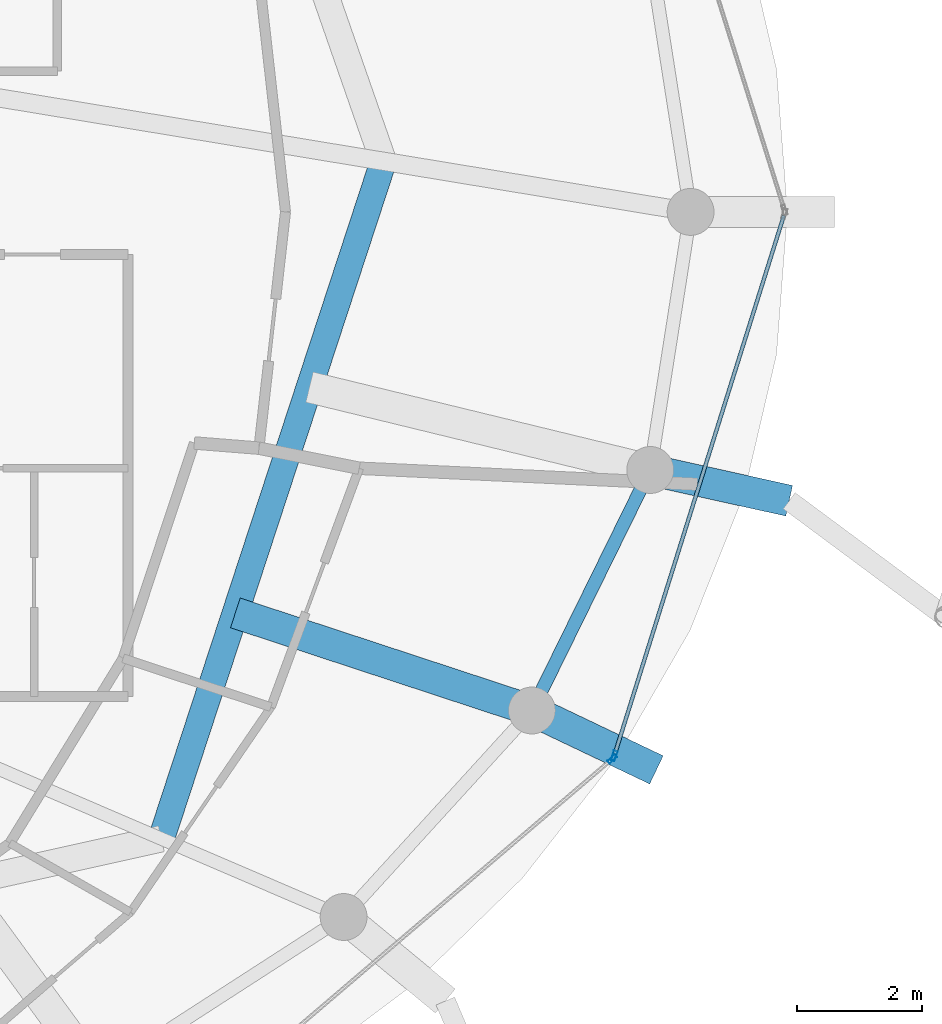
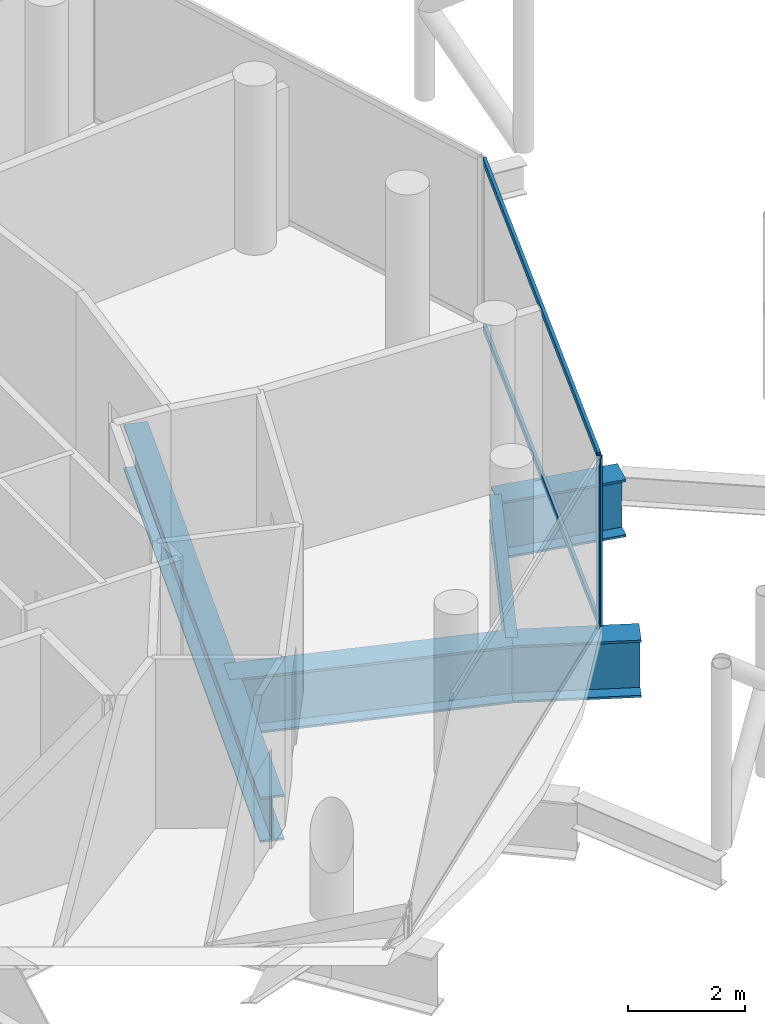
# One storey, part 11 of 25: 5 beams, 4 members, 2 elements without a shape of their own.
"""IFC4 building model written with IfcOpenShell, lengths in metres."""

from ifc_helpers import new_model, si_unit, direction, frame, origin, origin_2d, place, context, subcontext, project, spatial, hollow_rectangle, i_section, extrude, material, layer, layer_set, material_profile, profile_set, type_object, element, aggregate, save


model = new_model("IFC4")

# Units and contexts
model_context = context("Model", 3, precision=1e-05, world=origin(), true_north=direction((0.0, 1.0)))
body_context = subcontext(model_context, "Body", "Model", "MODEL_VIEW")
ifc_project = project(units=[si_unit("LENGTHUNIT", "METRE"), si_unit("AREAUNIT", "SQUARE_METRE"), si_unit("VOLUMEUNIT", "CUBIC_METRE"), si_unit("PLANEANGLEUNIT", "RADIAN"), si_unit("MASSUNIT", "GRAM", prefix="KILO")], contexts=[model_context])

# Site, building, storey
site_placement = place(None, origin())
site = spatial("IfcSite", under=ifc_project, at=site_placement, CompositionType="ELEMENT")
building_placement = place(site_placement, origin())
building = spatial("IfcBuilding", under=site, at=building_placement, Name="Nuhasar Tower", CompositionType="ELEMENT")
storey_placement = place(building_placement, frame((0.0, 0.0, 255.60009765625)))
storey = spatial("IfcBuildingStorey", under=building, at=storey_placement, Name="L63", CompositionType="ELEMENT", Elevation=255.60009765625)

# Beams
ifc_material_1 = material(Name="Steel S355", Category="steel")
ifc_material_profile_1 = material_profile(ifc_material_1, i_section(OverallWidth=0.2099609375, OverallDepth=0.537109375, WebThickness=0.010986328125, FlangeThickness=0.017333984375, at=origin_2d()), Name="W21X68")
ifc_profile_set_1 = profile_set([ifc_material_profile_1], Name="Steel S355")
beam_type_1 = type_object("IfcBeamType", Name="BM-RING-W21X68", PredefinedType="SPANDREL", material=ifc_profile_set_1)
beam_1_placement = place(storey_placement, frame((55.410888671875, 18.824951171875, -0.528076171875), z_axis=(0.441510561726, 0.897256052576, 0.0), x_axis=(-0.897256052576, 0.441510561726, 0.0)))
element("IfcBeam", 1, at=beam_1_placement, inside=storey, type_object=beam_type_1, Name="L63 Perimeter Ring Spandrel 23", PredefinedType="SPANDREL", context=body_context, shape_type="SweptSolid", body=[
    extrude(i_section(OverallWidth=0.2099609375, OverallDepth=0.537109375, WebThickness=0.010986328125, FlangeThickness=0.017333984375, at=origin_2d()), origin(), (0.0, 0.0, 1.0), 4.28759765625),
])
ifc_material_2 = material(Name="Steel S460", Category="steel")
ifc_material_profile_2 = material_profile(ifc_material_2, i_section(OverallWidth=0.423095703125, OverallDepth=0.947998046875, WebThickness=0.02392578125, FlangeThickness=0.042724609375, at=origin_2d()), Name="W36X302")
ifc_profile_set_2 = profile_set([ifc_material_profile_2], Name="Steel S460")
beam_type_2 = type_object("IfcBeamType", Name="BM-TMD-W36X302", PredefinedType="USERDEFINED", material=ifc_profile_set_2)
beam_2_placement = place(storey_placement, frame((49.48388671875, 16.77392578125, -0.734130859375), z_axis=(0.311483801376, 0.950251462235, 0.0), x_axis=(-0.950251462235, 0.311483801376, 0.0)))
element("IfcBeam", 2, at=beam_2_placement, inside=storey, type_object=beam_type_2, Name="L63 Inner Header Beam 03", ObjectType="GIRDER", PredefinedType="USERDEFINED", context=body_context, shape_type="SweptSolid", body=[
    extrude(i_section(OverallWidth=0.423095703125, OverallDepth=0.947998046875, WebThickness=0.02392578125, FlangeThickness=0.042724609375, at=origin_2d()), origin(), (0.0, 0.0, 1.0), 11.403564453125),
])
ifc_material_profile_3 = material_profile(ifc_material_2, i_section(OverallWidth=0.5, OverallDepth=1.199951171875, WebThickness=0.02587890625, FlangeThickness=0.044921875, at=origin_2d()), Name="PG1200X500")
ifc_profile_set_3 = profile_set([ifc_material_profile_3], Name="Steel S460")
beam_type_3 = type_object("IfcBeamType", Name="BM-XFER-PG1200", PredefinedType="USERDEFINED", material=ifc_profile_set_3)
beam_3_placement = place(storey_placement, frame((50.66796875, 20.385986328125, -0.860107421875), z_axis=(0.949874407661, -0.312631747701, 0.0), x_axis=(0.312631747701, 0.949874407661, 0.0)))
element("IfcBeam", 3, at=beam_3_placement, inside=storey, type_object=beam_type_3, Name="L63 Inner Column Transfer Girder 23", ObjectType="GIRDER", PredefinedType="USERDEFINED", context=body_context, shape_type="SweptSolid", body=[
    extrude(i_section(OverallWidth=0.5, OverallDepth=1.199951171875, WebThickness=0.02587890625, FlangeThickness=0.044921875, at=origin_2d()), origin(), (0.0, 0.0, 1.0), 4.9931640625),
])
beam_4_placement = place(storey_placement, frame((55.410888671875, 18.824951171875, -0.860107421875), z_axis=(0.902633434253, -0.430410133906, 0.0), x_axis=(0.430410133906, 0.902633434253, 0.0)))
element("IfcBeam", 4, at=beam_4_placement, inside=storey, type_object=beam_type_3, Name="L63 Outer Column Step Transfer Girder 23", ObjectType="GIRDER", PredefinedType="USERDEFINED", context=body_context, shape_type="SweptSolid", body=[
    extrude(i_section(OverallWidth=0.5, OverallDepth=1.199951171875, WebThickness=0.02587890625, FlangeThickness=0.044921875, at=origin_2d()), origin(), (0.0, 0.0, 1.0), 2.20703125),
])
beam_5_placement = place(storey_placement, frame((57.303955078125, 22.672119140625, -0.860107421875), z_axis=(0.976333240217, -0.216271597877, 0.0), x_axis=(0.216271597877, 0.976333240217, 0.0)))
element("IfcBeam", 5, at=beam_5_placement, inside=storey, type_object=beam_type_3, Name="L63 Outer Column Step Transfer Girder 24", ObjectType="GIRDER", PredefinedType="USERDEFINED", context=body_context, shape_type="SweptSolid", body=[
    extrude(i_section(OverallWidth=0.5, OverallDepth=1.199951171875, WebThickness=0.02587890625, FlangeThickness=0.044921875, at=origin_2d()), origin(), (0.0, 0.0, 1.0), 2.27587890625),
])

# Curtain wall, member
ifc_material_3 = material(Name="Aluminium 6063-T6", Category="aluminium")
ifc_layer = layer(ifc_material_3, 0.18994140625)
ifc_layer_set = layer_set([ifc_layer], Name="Aluminium 6063-T6")
curtain_wall_type = type_object("IfcCurtainWallType", Name="CW-Z4-PEN", PredefinedType="NOTDEFINED", material=ifc_layer_set)
curtain_wall_1_placement = place(storey_placement, origin())
curtain_wall_1 = element("IfcCurtainWall", 6, at=curtain_wall_1_placement, inside=storey, type_object=curtain_wall_type, Name="L63 Unitised Curtain Wall 11", PredefinedType="NOTDEFINED")
ifc_material_profile_4 = material_profile(ifc_material_3, hollow_rectangle(XDim=0.06005859375, YDim=0.1650390625, WallThickness=0.0048828125, at=origin_2d()), Name="CWM-5")
ifc_profile_set_4 = profile_set([ifc_material_profile_4], Name="Aluminium 6063-T6")
member_type_1 = type_object("IfcMemberType", Name="CW-MUL-S5", PredefinedType="MULLION", material=ifc_profile_set_4)
member_1_placement = place(storey_placement, frame((56.6962890625, 18.050537109375, 0.0), z_axis=(0.0, 0.0, 1.0), x_axis=(-0.649141996205, 0.760667252327, 0.0)))
member_1 = element("IfcMember", 7, at=member_1_placement, type_object=member_type_1, Name="CW-Z4 mullion 2", PredefinedType="MULLION", context=body_context, shape_type="SweptSolid", body=[
    extrude(hollow_rectangle(XDim=0.06005859375, YDim=0.1650390625, WallThickness=0.0048828125, at=origin_2d()), origin(), (0.0, 0.0, 1.0), 3.539794921875),
])
aggregate(curtain_wall_1, [member_1])

# Curtain wall, members
curtain_wall_2_placement = place(storey_placement, origin())
curtain_wall_2 = element("IfcCurtainWall", 8, at=curtain_wall_2_placement, inside=storey, type_object=curtain_wall_type, Name="L63 Unitised Curtain Wall 12", PredefinedType="NOTDEFINED")
member_2_placement = place(storey_placement, frame((56.72802734375, 18.0986328125, 0.0), z_axis=(0.0, 0.0, 1.0), x_axis=(-0.954078526601, 0.299556614146, 0.0)))
member_2 = element("IfcMember", 9, at=member_2_placement, type_object=member_type_1, Name="CW-Z4 mullion 1", PredefinedType="MULLION", context=body_context, shape_type="SweptSolid", body=[
    extrude(hollow_rectangle(XDim=0.06005859375, YDim=0.1650390625, WallThickness=0.0048828125, at=origin_2d()), origin(), (0.0, 0.0, 1.0), 3.539794921875),
])
ifc_material_profile_5 = material_profile(ifc_material_3, hollow_rectangle(XDim=0.06005859375, YDim=0.135009765625, WallThickness=0.00439453125, at=origin_2d()), Name="CWT-5")
ifc_profile_set_5 = profile_set([ifc_material_profile_5], Name="Aluminium 6063-T6")
member_type_2 = type_object("IfcMemberType", Name="CW-TRN-S5", PredefinedType="USERDEFINED", material=ifc_profile_set_5)
member_3_placement = place(storey_placement, frame((56.737060546875, 18.127197265625, 0.02978515625), z_axis=(0.29956014073, 0.954077419335, 0.0), x_axis=(-0.954077419335, 0.29956014073, 0.0)))
member_3 = element("IfcMember", 10, at=member_3_placement, type_object=member_type_2, Name="CW-Z4 transom 1.1", ObjectType="TRANSOM", PredefinedType="USERDEFINED", context=body_context, shape_type="SweptSolid", body=[
    extrude(hollow_rectangle(XDim=0.06005859375, YDim=0.135009765625, WallThickness=0.00439453125, at=origin_2d()), origin(), (0.0, 0.0, 1.0), 9.0302734375),
])
member_4_placement = place(storey_placement, frame((56.737060546875, 18.127197265625, 3.510009765625), z_axis=(0.29956014073, 0.954077419335, 0.0), x_axis=(-0.954077419335, 0.29956014073, 0.0)))
member_4 = element("IfcMember", 11, at=member_4_placement, type_object=member_type_2, Name="CW-Z4 transom 1.2", ObjectType="TRANSOM", PredefinedType="USERDEFINED", context=body_context, shape_type="SweptSolid", body=[
    extrude(hollow_rectangle(XDim=0.06005859375, YDim=0.135009765625, WallThickness=0.00439453125, at=origin_2d()), origin(), (0.0, 0.0, 1.0), 9.0302734375),
])
aggregate(curtain_wall_2, [member_2, member_3, member_4])

save(model, "model.ifc")
